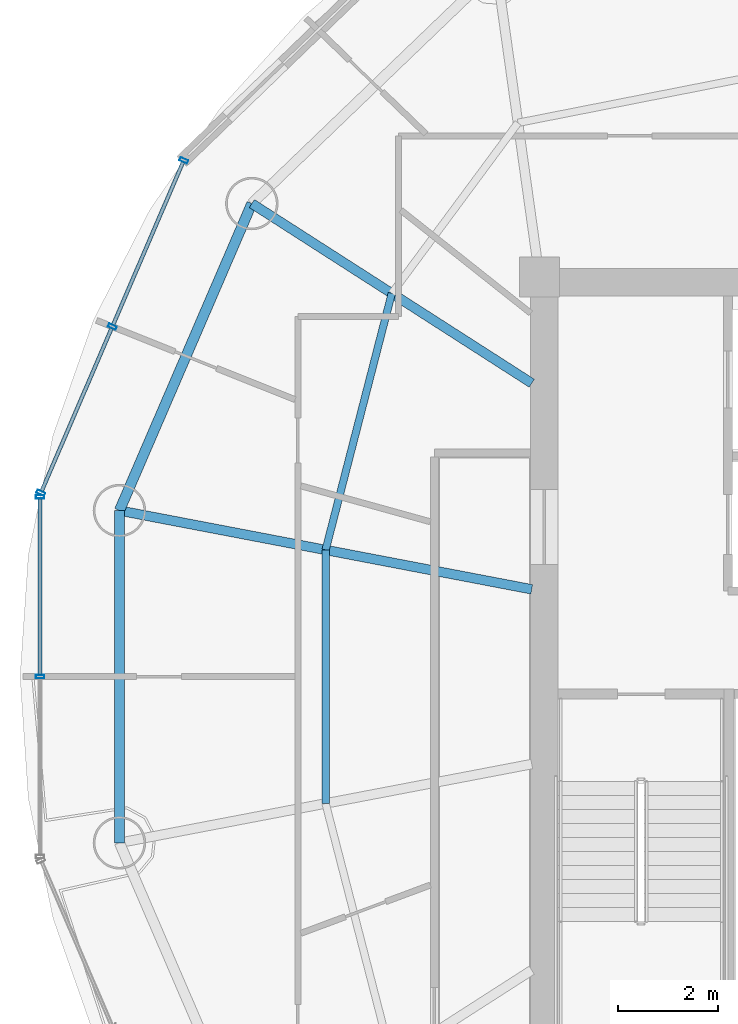
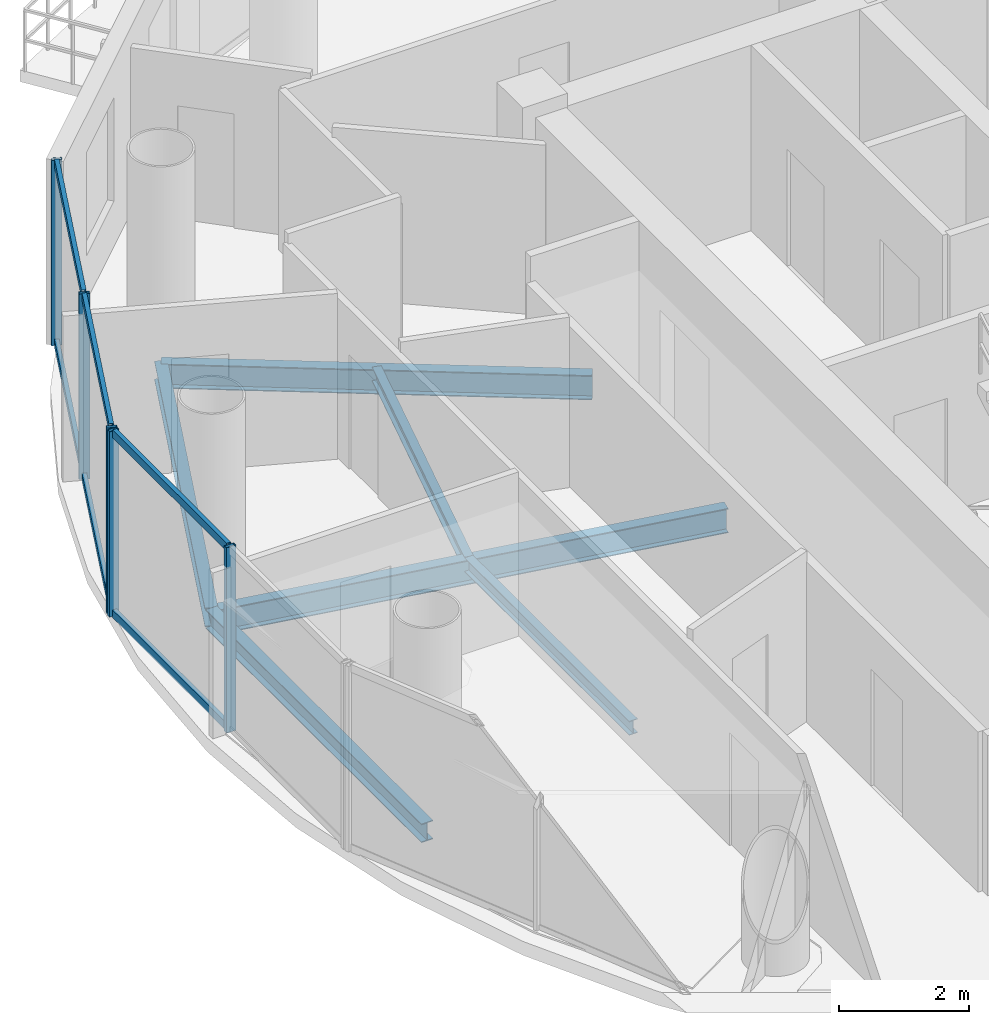
# One storey, part 8 of 22: 11 members, 6 beams, 2 elements without a shape of their own.
"""IFC4 building model written with IfcOpenShell, lengths in metres."""

from ifc_helpers import new_model, si_unit, direction, frame, origin, origin_2d, place, context, subcontext, project, spatial, hollow_rectangle, i_section, extrude, source, transform, mapped, material, material_profile, profile_set, type_object, element, aggregate, save


model = new_model("IFC4")

# Units and contexts
model_context = context("Model", 3, precision=1e-05, world=origin(), true_north=direction((-0.2419218956, 0.970295726276)))
body_context = subcontext(model_context, "Body", "Model", "MODEL_VIEW")
ifc_project = project(units=[si_unit("LENGTHUNIT", "METRE"), si_unit("AREAUNIT", "SQUARE_METRE"), si_unit("VOLUMEUNIT", "CUBIC_METRE"), si_unit("PLANEANGLEUNIT", "RADIAN"), si_unit("MASSUNIT", "GRAM", prefix="KILO")], contexts=[model_context])

# Site, building, storey
site_placement = place(None, origin())
site = spatial("IfcSite", under=ifc_project, at=site_placement, CompositionType="ELEMENT")
building_placement = place(site_placement, origin())
building = spatial("IfcBuilding", under=site, at=building_placement, Name="Cobrevalo Terracotta Tower", CompositionType="ELEMENT")
storey_placement = place(building_placement, frame((0.0, 0.0, 289.449951171875)))
storey = spatial("IfcBuildingStorey", under=building, at=storey_placement, Name="L76", CompositionType="ELEMENT", Elevation=289.449951171875)

# Beams
ifc_material_1 = material(Name="Steel S355", Category="steel")
ifc_material_profile_1 = material_profile(ifc_material_1, i_section(OverallWidth=0.19091796875, OverallDepth=0.4599609375, WebThickness=0.010009765625, FlangeThickness=0.01611328125, at=origin_2d()), Name="W 460x82")
ifc_profile_set_1 = profile_set([ifc_material_profile_1], Name="Steel S355")
beam_type_1 = type_object("IfcBeamType", Name="Structural Beam W 460x82 (Steel S355)", PredefinedType="BEAM", material=ifc_profile_set_1)
beam_1_placement = place(storey_placement, frame((23.241455078125, 36.2724609375, -0.489990234375), z_axis=(0.84157615512, -0.540138477739, 0.0), x_axis=(0.540138477739, 0.84157615512, 0.0)))
element("IfcBeam", 1, at=beam_1_placement, inside=storey, type_object=beam_type_1, Name="L76 radial floor girder 07", PredefinedType="BEAM", context=body_context, shape_type="SweptSolid", body=[
    extrude(i_section(OverallWidth=0.19091796875, OverallDepth=0.4599609375, WebThickness=0.010009765625, FlangeThickness=0.01611328125, at=origin_2d()), origin(), (0.0, 0.0, 1.0), 6.658447265625),
])
beam_2_placement = place(storey_placement, frame((20.591064453125, 30.126220703125, -0.489990234375), z_axis=(0.982234917636, -0.187655446433, 0.0), x_axis=(0.187655446433, 0.982234917636, 0.0)))
element("IfcBeam", 2, at=beam_2_placement, inside=storey, type_object=beam_type_1, Name="L76 radial floor girder 08", PredefinedType="BEAM", context=body_context, shape_type="SweptSolid", body=[
    extrude(i_section(OverallWidth=0.19091796875, OverallDepth=0.4599609375, WebThickness=0.010009765625, FlangeThickness=0.01611328125, at=origin_2d()), origin(), (0.0, 0.0, 1.0), 8.403076171875),
])
ifc_material_profile_2 = material_profile(ifc_material_1, i_section(OverallWidth=0.14794921875, OverallDepth=0.26611328125, WebThickness=0.007568359375, FlangeThickness=0.012939453125, at=origin_2d()), Name="W 250x44.8")
ifc_profile_set_2 = profile_set([ifc_material_profile_2], Name="Steel S355")
beam_type_2 = type_object("IfcBeamType", Name="Structural Joist W 250x44.8 (Steel S355)", PredefinedType="JOIST", material=ifc_profile_set_2)
beam_3_placement = place(storey_placement, frame((26.043212890625, 34.47412109375, -0.39306640625), z_axis=(-0.249816773293, -0.968293126993, 0.0), x_axis=(0.968293126993, -0.249816773293, 0.0)))
element("IfcBeam", 3, at=beam_3_placement, inside=storey, type_object=beam_type_2, Name="L76 circumferential secondary floor joist 07", PredefinedType="JOIST", context=body_context, shape_type="SweptSolid", body=[
    extrude(i_section(OverallWidth=0.14794921875, OverallDepth=0.26611328125, WebThickness=0.007568359375, FlangeThickness=0.012939453125, at=origin_2d()), origin(), (0.0, 0.0, 1.0), 5.3046875),
])
beam_4_placement = place(storey_placement, frame((24.718017578125, 29.337646484375, -0.39306640625), z_axis=(0.0, -1.0, 0.0), x_axis=(1.0, 0.0, 0.0)))
element("IfcBeam", 4, at=beam_4_placement, inside=storey, type_object=beam_type_2, Name="L76 circumferential secondary floor joist 08", PredefinedType="JOIST", context=body_context, shape_type="SweptSolid", body=[
    extrude(i_section(OverallWidth=0.14794921875, OverallDepth=0.26611328125, WebThickness=0.007568359375, FlangeThickness=0.012939453125, at=origin_2d()), origin(), (0.0, 0.0, 1.0), 5.075439453125),
])
ifc_material_profile_3 = material_profile(ifc_material_1, i_section(OverallWidth=0.205078125, OverallDepth=0.35400390625, WebThickness=0.009521484375, FlangeThickness=0.016845703125, at=origin_2d()), Name="W 360x79")
ifc_profile_set_3 = profile_set([ifc_material_profile_3], Name="Steel S355")
beam_type_3 = type_object("IfcBeamType", Name="Structural Spandrel W 360x79 (Steel S355)", PredefinedType="SPANDREL", material=ifc_profile_set_3)
beam_5_placement = place(storey_placement, frame((23.241455078125, 36.2724609375, -0.43701171875), z_axis=(-0.395974127655, -0.918261667624, 0.0), x_axis=(0.918261667624, -0.395974127655, 0.0)))
element("IfcBeam", 5, at=beam_5_placement, inside=storey, type_object=beam_type_3, Name="L76 perimeter ring spandrel 07", PredefinedType="SPANDREL", context=body_context, shape_type="SweptSolid", body=[
    extrude(i_section(OverallWidth=0.205078125, OverallDepth=0.35400390625, WebThickness=0.009521484375, FlangeThickness=0.016845703125, at=origin_2d()), origin(), (0.0, 0.0, 1.0), 6.693359375),
])
beam_6_placement = place(storey_placement, frame((20.591064453125, 30.126220703125, -0.43701171875), z_axis=(0.0, -1.0, 0.0), x_axis=(1.0, 0.0, 0.0)))
element("IfcBeam", 6, at=beam_6_placement, inside=storey, type_object=beam_type_3, Name="L76 perimeter ring spandrel 08", PredefinedType="SPANDREL", context=body_context, shape_type="SweptSolid", body=[
    extrude(i_section(OverallWidth=0.205078125, OverallDepth=0.35400390625, WebThickness=0.009521484375, FlangeThickness=0.016845703125, at=origin_2d()), origin(), (0.0, 0.0, 1.0), 6.652587890625),
])

# Curtain wall, members
ifc_material_2 = material(Name="Anodized aluminium", Category="aluminium")
curtain_wall_type = type_object("IfcCurtainWallType", Name="Upper-tower triple-glazed penthouse curtain wall CW-U3", PredefinedType="NOTDEFINED", material=ifc_material_2)
curtain_wall_1_placement = place(storey_placement, origin())
curtain_wall_1 = element("IfcCurtainWall", 7, at=curtain_wall_1_placement, inside=storey, type_object=curtain_wall_type, Name="L76 curtain wall CW-L76-S07", PredefinedType="NOTDEFINED")
ifc_material_profile_4 = material_profile(ifc_material_2, hollow_rectangle(XDim=0.070068359375, YDim=0.169921875, WallThickness=0.00439453125, at=origin_2d()), Name="CWM 70x170")
ifc_profile_set_4 = profile_set([ifc_material_profile_4], Name="Anodized aluminium")
member_type_1 = type_object("IfcMemberType", Name="Upper tower unitised mullion 70x170", PredefinedType="MULLION", material=ifc_profile_set_4)
shared_shape_1 = source(origin(), body_context, "Body", "SweptSolid", [
    extrude(hollow_rectangle(XDim=0.070068359375, YDim=0.169921875, WallThickness=0.00439453125, at=origin_2d()), origin(), (0.0, 0.0, 1.0), 3.489990234375),
])
member_1_placement = place(storey_placement, frame((21.878662109375, 37.1357421875, 0.0), z_axis=(0.0, 0.0, 1.0), x_axis=(-0.39482403454, -0.91875675875, 0.0)))
member_1 = element("IfcMember", 8, at=member_1_placement, type_object=member_type_1, Name="CW-L76-S07 vertical mullion 01", PredefinedType="MULLION", context=body_context, shape_type="MappedRepresentation", body=[
    mapped(shared_shape_1, transform((0.0, 0.0, 0.0), scale=1.0)),
])
member_2_placement = place(storey_placement, frame((20.4482421875, 33.807373046875, 0.0), z_axis=(0.0, 0.0, 1.0), x_axis=(-0.39482403454, -0.91875675875, 0.0)))
member_2 = element("IfcMember", 9, at=member_2_placement, type_object=member_type_1, Name="CW-L76-S07 vertical mullion 02", PredefinedType="MULLION", context=body_context, shape_type="MappedRepresentation", body=[
    mapped(shared_shape_1, transform((0.0, 0.0, 0.0), scale=1.0)),
])
member_3_placement = place(storey_placement, frame((19.01806640625, 30.47900390625, 0.0), z_axis=(0.0, 0.0, 1.0), x_axis=(-0.39482403454, -0.91875675875, 0.0)))
member_3 = element("IfcMember", 10, at=member_3_placement, type_object=member_type_1, Name="CW-L76-S07 vertical mullion 03", PredefinedType="MULLION", context=body_context, shape_type="MappedRepresentation", body=[
    mapped(shared_shape_1, transform((0.0, 0.0, 0.0), scale=1.0)),
])

curtain_wall_2_placement = place(storey_placement, origin())
curtain_wall_2 = element("IfcCurtainWall", 11, at=curtain_wall_2_placement, inside=storey, type_object=curtain_wall_type, Name="L76 curtain wall CW-L76-S08", PredefinedType="NOTDEFINED")
member_4_placement = place(storey_placement, frame((19.002197265625, 30.40234375, 0.0), z_axis=(0.0, 0.0, 1.0), x_axis=(0.0, -1.0, 0.0)))
member_4 = element("IfcMember", 12, at=member_4_placement, type_object=member_type_1, Name="CW-L76-S08 vertical mullion 01", PredefinedType="MULLION", context=body_context, shape_type="MappedRepresentation", body=[
    mapped(shared_shape_1, transform((0.0, 0.0, 0.0), scale=1.0)),
])
member_5_placement = place(storey_placement, frame((19.002197265625, 26.800048828125, 0.0), z_axis=(0.0, 0.0, 1.0), x_axis=(0.0, -1.0, 0.0)))
member_5 = element("IfcMember", 13, at=member_5_placement, type_object=member_type_1, Name="CW-L76-S08 vertical mullion 02", PredefinedType="MULLION", context=body_context, shape_type="MappedRepresentation", body=[
    mapped(shared_shape_1, transform((0.0, 0.0, 0.0), scale=1.0)),
])

# Member
ifc_material_profile_5 = material_profile(ifc_material_2, hollow_rectangle(XDim=0.074951171875, YDim=0.14990234375, WallThickness=0.00439453125, at=origin_2d()), Name="CWT 75x150")
ifc_profile_set_5 = profile_set([ifc_material_profile_5], Name="Anodized aluminium")
member_type_2 = type_object("IfcMemberType", Name="Tower unitised aluminium transom 75x150", PredefinedType="USERDEFINED", material=ifc_profile_set_5)
shared_shape_2 = source(origin(), body_context, "Body", "SweptSolid", [
    extrude(hollow_rectangle(XDim=0.074951171875, YDim=0.14990234375, WallThickness=0.00439453125, at=origin_2d()), origin(), (0.0, 0.0, 1.0), 3.54248046875),
])
member_6_placement = place(storey_placement, frame((21.86279296875, 37.098876953125, 0.050048828125), z_axis=(-0.394834055841, -0.918752452159, 0.0), x_axis=(0.918752452159, -0.394834055841, 0.0)))
member_6 = element("IfcMember", 14, at=member_6_placement, type_object=member_type_2, Name="CW-L76-S07 transom B01-T1", ObjectType="TRANSOM", PredefinedType="USERDEFINED", context=body_context, shape_type="MappedRepresentation", body=[
    mapped(shared_shape_2, transform((0.0, 0.0, 0.0), scale=1.0)),
])

member_7_placement = place(storey_placement, frame((21.86279296875, 37.098876953125, 3.43994140625), z_axis=(-0.394834055841, -0.918752452159, 0.0), x_axis=(0.918752452159, -0.394834055841, 0.0)))
member_7 = element("IfcMember", 15, at=member_7_placement, type_object=member_type_2, Name="CW-L76-S07 transom B01-T2", ObjectType="TRANSOM", PredefinedType="USERDEFINED", context=body_context, shape_type="MappedRepresentation", body=[
    mapped(shared_shape_2, transform((0.0, 0.0, 0.0), scale=1.0)),
])

shared_shape_3 = source(origin(), body_context, "Body", "SweptSolid", [
    extrude(hollow_rectangle(XDim=0.074951171875, YDim=0.14990234375, WallThickness=0.00439453125, at=origin_2d()), origin(), (0.0, 0.0, 1.0), 3.542724609375),
])
member_8_placement = place(storey_placement, frame((20.4326171875, 33.770751953125, 0.050048828125), z_axis=(-0.394867226589, -0.918738196314, 0.0), x_axis=(0.918738196314, -0.394867226589, 0.0)))
member_8 = element("IfcMember", 16, at=member_8_placement, type_object=member_type_2, Name="CW-L76-S07 transom B02-T1", ObjectType="TRANSOM", PredefinedType="USERDEFINED", context=body_context, shape_type="MappedRepresentation", body=[
    mapped(shared_shape_3, transform((0.0, 0.0, 0.0), scale=1.0)),
])

member_9_placement = place(storey_placement, frame((20.4326171875, 33.770751953125, 3.43994140625), z_axis=(-0.394867226589, -0.918738196314, 0.0), x_axis=(0.918738196314, -0.394867226589, 0.0)))
member_9 = element("IfcMember", 17, at=member_9_placement, type_object=member_type_2, Name="CW-L76-S07 transom B02-T2", ObjectType="TRANSOM", PredefinedType="USERDEFINED", context=body_context, shape_type="MappedRepresentation", body=[
    mapped(shared_shape_3, transform((0.0, 0.0, 0.0), scale=1.0)),
])

aggregate(curtain_wall_1, [member_1, member_2, member_3, member_6, member_7, member_8, member_9])

shared_shape_4 = source(origin(), body_context, "Body", "SweptSolid", [
    extrude(hollow_rectangle(XDim=0.074951171875, YDim=0.14990234375, WallThickness=0.00439453125, at=origin_2d()), origin(), (0.0, 0.0, 1.0), 3.522216796875),
])
member_10_placement = place(storey_placement, frame((19.002197265625, 30.3623046875, 0.050048828125), z_axis=(0.0, -1.0, 0.0), x_axis=(1.0, 0.0, 0.0)))
member_10 = element("IfcMember", 18, at=member_10_placement, type_object=member_type_2, Name="CW-L76-S08 transom B01-T1", ObjectType="TRANSOM", PredefinedType="USERDEFINED", context=body_context, shape_type="MappedRepresentation", body=[
    mapped(shared_shape_4, transform((0.0, 0.0, 0.0), scale=1.0)),
])

member_11_placement = place(storey_placement, frame((19.002197265625, 30.3623046875, 3.43994140625), z_axis=(0.0, -1.0, 0.0), x_axis=(1.0, 0.0, 0.0)))
member_11 = element("IfcMember", 19, at=member_11_placement, type_object=member_type_2, Name="CW-L76-S08 transom B01-T2", ObjectType="TRANSOM", PredefinedType="USERDEFINED", context=body_context, shape_type="MappedRepresentation", body=[
    mapped(shared_shape_4, transform((0.0, 0.0, 0.0), scale=1.0)),
])

aggregate(curtain_wall_2, [member_4, member_5, member_10, member_11])

save(model, "model.ifc")
